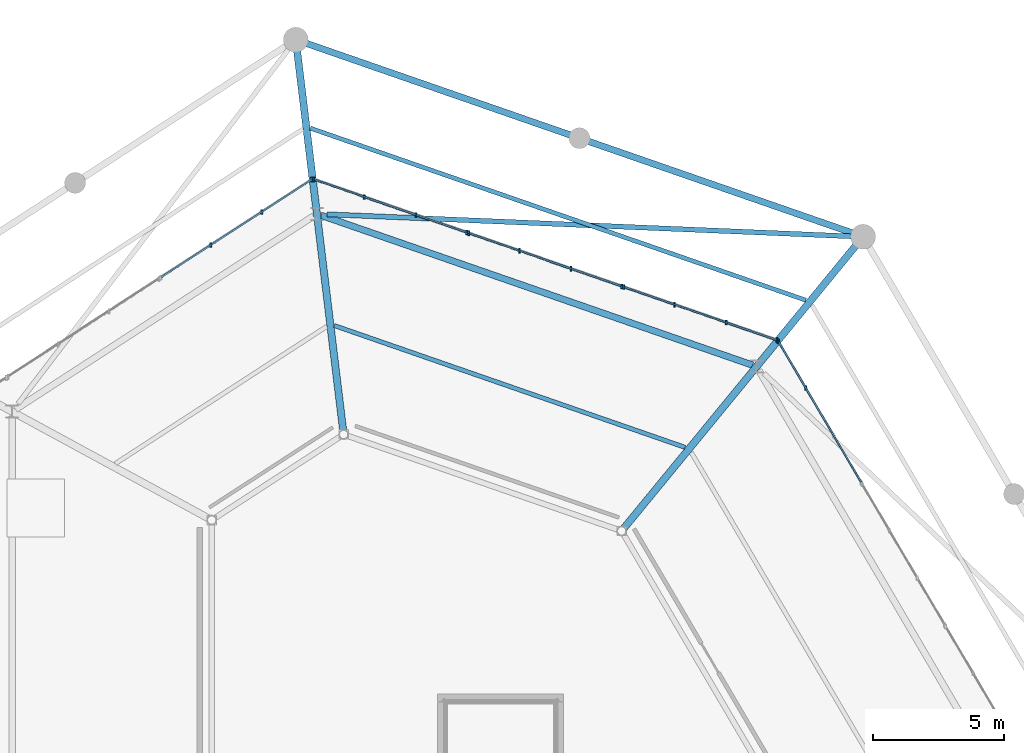
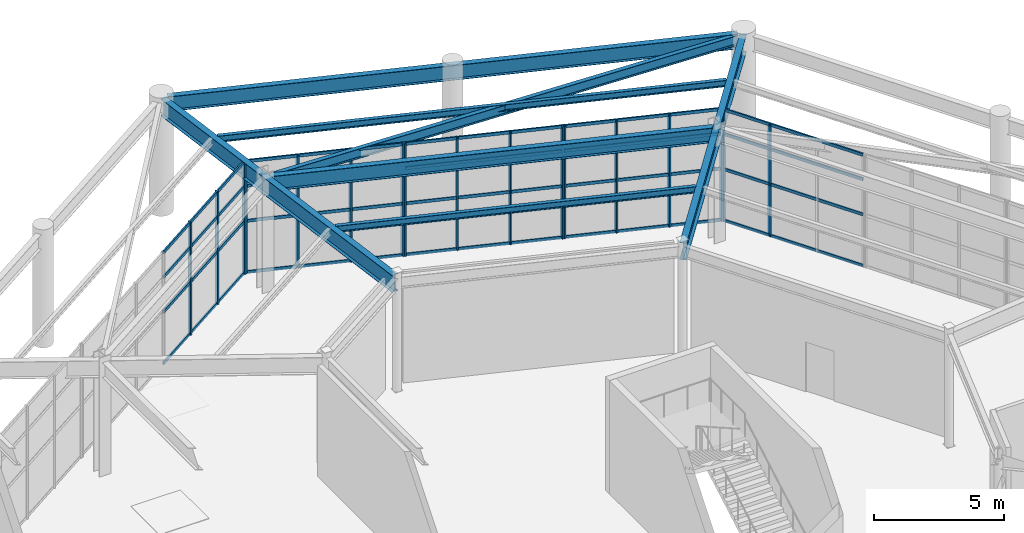
# One storey, part 36 of 70: 37 members, 7 beams, 5 elements without a shape of their own.
"""IFC4 building model written with IfcOpenShell, lengths in metres."""

import ifcopenshell
import ifcopenshell.guid

model = None  # the IFC model being written
_history = None  # IfcOwnerHistory: only IFC2X3 demands one
_inside = {}  # id of a spatial element -> (the spatial element, [elements in it])
_under = {}  # id of a project, library or spatial element -> (it, [spatial elements below it])
_declared = {}  # id of a project -> (the project, [libraries it declares])
_typed = {}  # id of a type object -> (the type object, [elements of that type])
_made_of = {}  # id of a material, layer set ... -> (it, [elements and type objects made of it])


def new_model(schema):
    """Start an empty IFC model of exactly this schema.

    Asked for "IFC4X3", IfcOpenShell would pick the latest addendum, in which some entities
    have other attributes; the version numbers below select the first issue.
    IFC2X3 requires an IfcOwnerHistory on every rooted entity: one is made here for all.
    """
    global model, _history
    if schema == "IFC4X3":
        model = ifcopenshell.file(schema_version=(4, 3, 0, 0))
    else:
        model = ifcopenshell.file(schema=schema)
    _inside.clear()
    _under.clear()
    _declared.clear()
    _typed.clear()
    _made_of.clear()
    _history = None
    if model.schema == "IFC2X3":
        org = make("IfcOrganization", Name="unknown")
        user = make(
            "IfcPersonAndOrganization",
            ThePerson=make("IfcPerson", FamilyName="unknown"),
            TheOrganization=org,
        )
        app = make(
            "IfcApplication",
            ApplicationDeveloper=org,
            Version="unknown",
            ApplicationFullName="unknown",
            ApplicationIdentifier="unknown",
        )
        _history = make(
            "IfcOwnerHistory",
            OwningUser=user,
            OwningApplication=app,
            ChangeAction="ADDED",
            CreationDate=0,
        )
    return model


def make(cls, **values):
    """One entity of the class cls with the attributes given. An attribute that is None is left unset."""
    return model.create_entity(
        cls, **{name: value for name, value in values.items() if value is not None}
    )


def rooted(cls, **values):
    """An entity with a GlobalId (a new one), such as an element, a storey or a relation."""
    return make(cls, GlobalId=ifcopenshell.guid.new(), OwnerHistory=_history, **values)


def si_unit(unit_type, name, prefix=None):
    """IfcSIUnit, for example si_unit("LENGTHUNIT", "METRE", prefix="MILLI")."""
    return make("IfcSIUnit", UnitType=unit_type, Prefix=prefix, Name=name)


def assignment(units):
    """IfcUnitAssignment: the units of a project."""
    return None if units is None else make("IfcUnitAssignment", Units=units)


def point(xyz):
    """IfcCartesianPoint."""
    return None if xyz is None else make("IfcCartesianPoint", Coordinates=xyz)


def direction(xyz):
    """IfcDirection."""
    return None if xyz is None else make("IfcDirection", DirectionRatios=xyz)


def frame(location, z_axis=None, x_axis=None):
    """IfcAxis2Placement3D, a coordinate frame: its origin and axes. An axis left out is left unset."""
    return make(
        "IfcAxis2Placement3D",
        Location=point(location),
        Axis=direction(z_axis),
        RefDirection=direction(x_axis),
    )


def frame_2d(location, x_axis=None):
    """IfcAxis2Placement2D, a coordinate frame in the plane: its origin and x axis."""
    return make(
        "IfcAxis2Placement2D", Location=point(location), RefDirection=direction(x_axis)
    )


def origin():
    """The frame at (0, 0, 0) with its axes left unset."""
    return frame((0.0, 0.0, 0.0))


def origin_2d():
    """The frame at (0, 0) in the plane with its x axis left unset."""
    return frame_2d((0.0, 0.0))


def place(relative_to, where):
    """IfcLocalPlacement: puts the frame where relative to a parent placement (None: the world)."""
    return make(
        "IfcLocalPlacement", PlacementRelTo=relative_to, RelativePlacement=where
    )


def context(
    kind, dimensions, precision=None, world=None, true_north=None, identifier=None
):
    """IfcGeometricRepresentationContext, for example the 3D "Model" context."""
    return make(
        "IfcGeometricRepresentationContext",
        ContextIdentifier=identifier,
        ContextType=kind,
        CoordinateSpaceDimension=dimensions,
        Precision=precision,
        WorldCoordinateSystem=world,
        TrueNorth=true_north,
    )


def subcontext(parent, identifier, kind, view, scale=None):
    """IfcGeometricRepresentationSubContext, for example "Body" below "Model"."""
    return make(
        "IfcGeometricRepresentationSubContext",
        ContextIdentifier=identifier,
        ContextType=kind,
        ParentContext=parent,
        TargetScale=scale,
        TargetView=view,
    )


def project(units=None, contexts=None):
    """IfcProject with its units and contexts."""
    return rooted(
        "IfcProject",
        Name="project",
        RepresentationContexts=contexts,
        UnitsInContext=assignment(units),
    )


def spatial(cls, under=None, at=None, **own):
    """A site, building, storey or space (cls), placed at a placement, below another one or the project."""
    s = rooted(cls, ObjectPlacement=at, **own)
    if under is not None:
        _under.setdefault(under.id(), (under, []))[1].append(s)
    return s


def profile(cls, at=None, kind="AREA", **sizes):
    """A parametric profile (cls). Its sizes go by their IFC names, for example OverallWidth=200.0."""
    return make(cls, ProfileType=kind, Position=at, **sizes)


def rectangle(**sizes):
    """IfcRectangleProfileDef."""
    return profile("IfcRectangleProfileDef", **sizes)


def i_section(**sizes):
    """IfcIShapeProfileDef."""
    return profile("IfcIShapeProfileDef", **sizes)


def extrude(swept, where, along, depth):
    """IfcExtrudedAreaSolid: the profile swept, set in the frame where, extruded along a direction by depth."""
    return make(
        "IfcExtrudedAreaSolid",
        SweptArea=swept,
        Position=where,
        ExtrudedDirection=direction(along),
        Depth=depth,
    )


def shape(context_of_items, identifier, shape_type, items):
    """IfcShapeRepresentation: the items that make up one representation, for example the "Body"."""
    return make(
        "IfcShapeRepresentation",
        ContextOfItems=context_of_items,
        RepresentationIdentifier=identifier,
        RepresentationType=shape_type,
        Items=items,
    )


def material(Name=None, Category=None):
    """IfcMaterial."""
    return make("IfcMaterial", Name=Name, Category=Category)


def material_profile(
    of_material, cross_section, Name=None, Category=None, Priority=None
):
    """IfcMaterialProfile: a cross section and its material."""
    return make(
        "IfcMaterialProfile",
        Name=Name,
        Material=of_material,
        Profile=cross_section,
        Priority=Priority,
        Category=Category,
    )


def profile_set(profiles, Name=None, composite=None):
    """IfcMaterialProfileSet."""
    return make(
        "IfcMaterialProfileSet",
        Name=Name,
        MaterialProfiles=profiles,
        CompositeProfile=composite,
    )


def made_of(thing, what):
    """Note that an element or type object is made of a material, layer set ...; save() writes the relation."""
    if what is not None:
        _made_of.setdefault(what.id(), (what, []))[1].append(thing)
    return thing


def type_object(cls, material=None, **own):
    """A type object (cls), such as IfcWallType, which elements share."""
    return made_of(rooted(cls, **own), material)


def element(
    cls,
    number,
    at=None,
    inside=None,
    cuts=None,
    type_object=None,
    material=None,
    context=None,
    identifier="Body",
    shape_type=None,
    held_by="IfcProductDefinitionShape",
    body=None,
    shapes=None,
    **own,
):
    """One element of the class cls, such as IfcWall. Its Tag is "e" and its number.

    at: its placement. inside: the storey or other place that contains it. cuts: it is an
    opening in that element (IfcRelVoidsElement). A single representation is given by context,
    identifier, shape_type and body (its items); several are given by shapes. held_by: the class
    of the entity that holds the representations. save() writes the other relations.
    """
    e = rooted(cls, Tag="e%d" % number, ObjectPlacement=at, **own)
    if body is not None:
        shapes = [shape(context, identifier, shape_type, body)]
    if shapes is not None:
        e.Representation = make(held_by, Representations=shapes)
    if inside is not None:
        _inside.setdefault(inside.id(), (inside, []))[1].append(e)
    if cuts is not None:
        rooted(
            "IfcRelVoidsElement", RelatingBuildingElement=cuts, RelatedOpeningElement=e
        )
    if type_object is not None:
        _typed.setdefault(type_object.id(), (type_object, []))[1].append(e)
    return made_of(e, material)


def aggregate(whole, parts):
    """IfcRelAggregates: a whole, such as a stair, and the parts it consists of."""
    return rooted("IfcRelAggregates", RelatingObject=whole, RelatedObjects=parts)


def save(model, path):
    """Write the relations noted so far, then the file.

    IfcRelAggregates (storeys below a building ...), IfcRelContainedInSpatialStructure (elements
    in a storey), IfcRelDefinesByType, IfcRelAssociatesMaterial and IfcRelDeclares: one each for
    every whole, place, type object, material and project.
    """
    for whole, parts in _under.values():
        aggregate(whole, parts)
    for where, things in _inside.values():
        rooted(
            "IfcRelContainedInSpatialStructure",
            RelatedElements=things,
            RelatingStructure=where,
        )
    for kind, things in _typed.values():
        rooted("IfcRelDefinesByType", RelatedObjects=things, RelatingType=kind)
    for what, things in _made_of.values():
        rooted("IfcRelAssociatesMaterial", RelatedObjects=things, RelatingMaterial=what)
    for by, libraries in _declared.values():
        rooted("IfcRelDeclares", RelatingContext=by, RelatedDefinitions=libraries)
    model.write(path)


model = new_model("IFC4")

# Units and contexts
model_context = context("Model", 3, precision=1e-05, world=origin(), true_north=direction((0.0, 1.0)))
body_context = subcontext(model_context, "Body", "Model", "MODEL_VIEW")
ifc_project = project(units=[si_unit("LENGTHUNIT", "METRE"), si_unit("AREAUNIT", "SQUARE_METRE"), si_unit("VOLUMEUNIT", "CUBIC_METRE"), si_unit("PLANEANGLEUNIT", "RADIAN"), si_unit("MASSUNIT", "GRAM", prefix="KILO")], contexts=[model_context])

# Site, building, storey
site_placement = place(None, origin())
site = spatial("IfcSite", under=ifc_project, at=site_placement, CompositionType="ELEMENT")
building_placement = place(site_placement, origin())
building = spatial("IfcBuilding", under=site, at=building_placement, Name="Sarnbrook Museum", CompositionType="ELEMENT")
storey_placement = place(building_placement, origin())
storey = spatial("IfcBuildingStorey", under=building, at=storey_placement, Name="L00", CompositionType="ELEMENT", Elevation=0.0)

# Beams
ifc_material_1 = material(Name="Structural Steel Grade 300PLUS (AS/NZS 3679.1, fy = 280 MPa for 17 < t <= 40 mm, 300 MPa for t <= 17 mm)", Category="steel")
ifc_material_profile_1 = material_profile(ifc_material_1, i_section(OverallWidth=0.18994140625, OverallDepth=0.45703125, WebThickness=0.009033203125, FlangeThickness=0.014404296875, FilletRadius=0.011474609375, at=origin_2d()), Name="460UB74.6")
ifc_profile_set_1 = profile_set([ifc_material_profile_1], Name="Structural Steel Grade 300PLUS (AS/NZS 3679.1, fy = 280 MPa for 17 < t <= 40 mm, 300 MPa for t <= 17 mm)")
beam_type_1 = type_object("IfcBeamType", Name="BM-UB460", PredefinedType="BEAM", material=ifc_profile_set_1)
beam_1_placement = place(storey_placement, frame((157.316650390625, 107.607421875, 5.10009765625), z_axis=(-0.999118418311, 0.041980783598, 0.0), x_axis=(-0.041980783598, -0.999118418311, 0.0)))
element("IfcBeam", 1, at=beam_1_placement, inside=storey, type_object=beam_type_1, Name="Colonnade Ceiling Diagonal Tie Girder 5 L00", PredefinedType="BEAM", context=body_context, shape_type="SweptSolid", body=[
    extrude(i_section(OverallWidth=0.18994140625, OverallDepth=0.45703125, WebThickness=0.009033203125, FlangeThickness=0.014404296875, FilletRadius=0.011474609375, at=origin_2d()), origin(), (0.0, 0.0, 1.0), 20.15087890625),
])
ifc_material_2 = material(Name="Structural Steel Grade 350L0 (AS/NZS 3678, fy = 340 MPa for 20 < t <= 40 mm)", Category="steel")
ifc_material_profile_2 = material_profile(ifc_material_2, i_section(OverallWidth=0.25, OverallDepth=0.699951171875, WebThickness=0.010009765625, FlangeThickness=0.01611328125, at=origin_2d()), Name="700WB130")
ifc_profile_set_2 = profile_set([ifc_material_profile_2], Name="Structural Steel Grade 350L0 (AS/NZS 3678, fy = 340 MPa for 20 < t <= 40 mm)")
beam_type_2 = type_object("IfcBeamType", Name="BM-WB700", PredefinedType="BEAM", material=ifc_profile_set_2)
beam_2_placement = place(storey_placement, frame((157.36376953125, 107.681884765625, 4.989990234375), z_axis=(-0.9446711743, 0.328018859896, 0.0), x_axis=(-0.328018859896, -0.9446711743, 0.0)))
element("IfcBeam", 2, at=beam_2_placement, inside=storey, type_object=beam_type_2, Name="Crystal Hall Perimeter Ring Girder 5 L00", PredefinedType="BEAM", context=body_context, shape_type="SweptSolid", body=[
    extrude(i_section(OverallWidth=0.25, OverallDepth=0.699951171875, WebThickness=0.010009765625, FlangeThickness=0.01611328125, at=origin_2d()), origin(), (0.0, 0.0, 1.0), 22.365234375),
])
beam_3_placement = place(storey_placement, frame((153.392578125, 102.70947265625, 4.989990234375), z_axis=(-0.944672698081, 0.328014471479, 0.0), x_axis=(-0.328014471479, -0.944672698081, 0.0)))
element("IfcBeam", 3, at=beam_3_placement, inside=storey, type_object=beam_type_2, Name="Crystal Hall R1 Ring Girder 5 L00", PredefinedType="BEAM", context=body_context, shape_type="SweptSolid", body=[
    extrude(i_section(OverallWidth=0.25, OverallDepth=0.699951171875, WebThickness=0.010009765625, FlangeThickness=0.01611328125, at=origin_2d()), origin(), (0.0, 0.0, 1.0), 17.400146484375),
])
ifc_material_profile_3 = material_profile(ifc_material_2, i_section(OverallWidth=0.27490234375, OverallDepth=0.800048828125, WebThickness=0.010009765625, FlangeThickness=0.01611328125, at=origin_2d()), Name="800WB146")
ifc_profile_set_3 = profile_set([ifc_material_profile_3], Name="Structural Steel Grade 350L0 (AS/NZS 3678, fy = 340 MPa for 20 < t <= 40 mm)")
beam_type_3 = type_object("IfcBeamType", Name="CR-CANT", PredefinedType="BEAM", material=ifc_profile_set_3)
beam_4_placement = place(storey_placement, frame((148.481689453125, 96.48876953125, 4.93994140625), z_axis=(0.63438210421, 0.773019628378, 0.0), x_axis=(-0.773019628378, 0.63438210421, 0.0)))
element("IfcBeam", 4, at=beam_4_placement, inside=storey, type_object=beam_type_3, Name="Crystal Hall Radial Cantilever Girder 5 L00", PredefinedType="BEAM", context=body_context, shape_type="SweptSolid", body=[
    extrude(i_section(OverallWidth=0.27490234375, OverallDepth=0.800048828125, WebThickness=0.010009765625, FlangeThickness=0.01611328125, at=origin_2d()), origin(), (0.0, 0.0, 1.0), 14.2236328125),
])
beam_5_placement = place(storey_placement, frame((137.80810546875, 100.189697265625, 4.93994140625), z_axis=(-0.120382362103, 0.992727599543, 0.0), x_axis=(-0.992727599543, -0.120382362103, 0.0)))
element("IfcBeam", 5, at=beam_5_placement, inside=storey, type_object=beam_type_3, Name="Crystal Hall Radial Cantilever Girder 6 L00", PredefinedType="BEAM", context=body_context, shape_type="SweptSolid", body=[
    extrude(i_section(OverallWidth=0.27490234375, OverallDepth=0.800048828125, WebThickness=0.010009765625, FlangeThickness=0.01611328125, at=origin_2d()), origin(), (0.0, 0.0, 1.0), 14.86962890625),
])

# Curtain wall, members
ifc_material_3 = material(Name="Thermally Broken Anodised Aluminium 6063-T6", Category="aluminium")
curtain_wall_type = type_object("IfcCurtainWallType", Name="CurtainWall_Colonnade", PredefinedType="NOTDEFINED", material=ifc_material_3)
curtain_wall_1_placement = place(storey_placement, origin())
curtain_wall_1 = element("IfcCurtainWall", 6, at=curtain_wall_1_placement, inside=storey, type_object=curtain_wall_type, Name="Colonnade Recessed Glazing L00-F4.3", PredefinedType="NOTDEFINED")
ifc_material_profile_4 = material_profile(ifc_material_3, rectangle(XDim=0.06494140625, YDim=0.179931640625, at=origin_2d()), Name="ALU MULLION 65x180")
ifc_profile_set_4 = profile_set([ifc_material_profile_4], Name="Thermally Broken Anodised Aluminium 6063-T6")
member_type_1 = type_object("IfcMemberType", Name="CW_Mullion_180x75", PredefinedType="MULLION", material=ifc_profile_set_4)
member_1_placement = place(storey_placement, frame((155.416015625, 101.8369140625, 0.0), z_axis=(0.0, 0.0, 1.0), x_axis=(1.0, 0.0, 0.0)))
member_1 = element("IfcMember", 7, at=member_1_placement, type_object=member_type_1, Name="Colonnade Recessed Glazing L00-F4.3 Mullion 3", PredefinedType="MULLION", context=body_context, shape_type="SweptSolid", body=[
    extrude(rectangle(XDim=0.06494140625, YDim=0.179931640625, at=origin_2d()), origin(), (0.0, 0.0, 1.0), 5.2900390625),
])
member_2_placement = place(storey_placement, frame((154.375, 103.611083984375, 0.0), z_axis=(0.0, 0.0, 1.0), x_axis=(1.0, 0.0, 0.0)))
member_2 = element("IfcMember", 8, at=member_2_placement, type_object=member_type_1, Name="Colonnade Recessed Glazing L00-F4.3 Mullion 4", PredefinedType="MULLION", context=body_context, shape_type="SweptSolid", body=[
    extrude(rectangle(XDim=0.06494140625, YDim=0.179931640625, at=origin_2d()), origin(), (0.0, 0.0, 1.0), 5.2900390625),
])

curtain_wall_2_placement = place(storey_placement, origin())
curtain_wall_2 = element("IfcCurtainWall", 9, at=curtain_wall_2_placement, inside=storey, type_object=curtain_wall_type, Name="Colonnade Recessed Glazing L00-F5.1", PredefinedType="NOTDEFINED")
member_3_placement = place(storey_placement, frame((154.317138671875, 103.65869140625, 0.0), z_axis=(0.0, 0.0, 1.0), x_axis=(1.0, 0.0, 0.0)))
member_3 = element("IfcMember", 10, at=member_3_placement, type_object=member_type_1, Name="Colonnade Recessed Glazing L00-F5.1 Mullion 1", PredefinedType="MULLION", context=body_context, shape_type="SweptSolid", body=[
    extrude(rectangle(XDim=0.06494140625, YDim=0.179931640625, at=origin_2d()), origin(), (0.0, 0.0, 1.0), 5.2900390625),
])
member_4_placement = place(storey_placement, frame((152.386962890625, 104.328857421875, 0.0), z_axis=(0.0, 0.0, 1.0), x_axis=(1.0, 0.0, 0.0)))
member_4 = element("IfcMember", 11, at=member_4_placement, type_object=member_type_1, Name="Colonnade Recessed Glazing L00-F5.1 Mullion 2", PredefinedType="MULLION", context=body_context, shape_type="SweptSolid", body=[
    extrude(rectangle(XDim=0.06494140625, YDim=0.179931640625, at=origin_2d()), origin(), (0.0, 0.0, 1.0), 5.2900390625),
])
member_5_placement = place(storey_placement, frame((150.4189453125, 105.01220703125, 0.0), z_axis=(0.0, 0.0, 1.0), x_axis=(1.0, 0.0, 0.0)))
member_5 = element("IfcMember", 12, at=member_5_placement, type_object=member_type_1, Name="Colonnade Recessed Glazing L00-F5.1 Mullion 3", PredefinedType="MULLION", context=body_context, shape_type="SweptSolid", body=[
    extrude(rectangle(XDim=0.06494140625, YDim=0.179931640625, at=origin_2d()), origin(), (0.0, 0.0, 1.0), 5.2900390625),
])
member_6_placement = place(storey_placement, frame((148.48876953125, 105.682373046875, 0.0), z_axis=(0.0, 0.0, 1.0), x_axis=(1.0, 0.0, 0.0)))
member_6 = element("IfcMember", 13, at=member_6_placement, type_object=member_type_1, Name="Colonnade Recessed Glazing L00-F5.1 Mullion 4", PredefinedType="MULLION", context=body_context, shape_type="SweptSolid", body=[
    extrude(rectangle(XDim=0.06494140625, YDim=0.179931640625, at=origin_2d()), origin(), (0.0, 0.0, 1.0), 5.2900390625),
])

curtain_wall_3_placement = place(storey_placement, origin())
curtain_wall_3 = element("IfcCurtainWall", 14, at=curtain_wall_3_placement, inside=storey, type_object=curtain_wall_type, Name="Colonnade Recessed Glazing L00-F5.2", PredefinedType="NOTDEFINED")
member_7_placement = place(storey_placement, frame((148.4130859375, 105.708740234375, 0.0), z_axis=(0.0, 0.0, 1.0), x_axis=(1.0, 0.0, 0.0)))
member_7 = element("IfcMember", 15, at=member_7_placement, type_object=member_type_1, Name="Colonnade Recessed Glazing L00-F5.2 Mullion 1", PredefinedType="MULLION", context=body_context, shape_type="SweptSolid", body=[
    extrude(rectangle(XDim=0.06494140625, YDim=0.179931640625, at=origin_2d()), origin(), (0.0, 0.0, 1.0), 5.2900390625),
])
member_8_placement = place(storey_placement, frame((146.48291015625, 106.37890625, 0.0), z_axis=(0.0, 0.0, 1.0), x_axis=(1.0, 0.0, 0.0)))
member_8 = element("IfcMember", 16, at=member_8_placement, type_object=member_type_1, Name="Colonnade Recessed Glazing L00-F5.2 Mullion 2", PredefinedType="MULLION", context=body_context, shape_type="SweptSolid", body=[
    extrude(rectangle(XDim=0.06494140625, YDim=0.179931640625, at=origin_2d()), origin(), (0.0, 0.0, 1.0), 5.2900390625),
])
member_9_placement = place(storey_placement, frame((144.51513671875, 107.062255859375, 0.0), z_axis=(0.0, 0.0, 1.0), x_axis=(1.0, 0.0, 0.0)))
member_9 = element("IfcMember", 17, at=member_9_placement, type_object=member_type_1, Name="Colonnade Recessed Glazing L00-F5.2 Mullion 3", PredefinedType="MULLION", context=body_context, shape_type="SweptSolid", body=[
    extrude(rectangle(XDim=0.06494140625, YDim=0.179931640625, at=origin_2d()), origin(), (0.0, 0.0, 1.0), 5.2900390625),
])
member_10_placement = place(storey_placement, frame((142.5849609375, 107.732421875, 0.0), z_axis=(0.0, 0.0, 1.0), x_axis=(1.0, 0.0, 0.0)))
member_10 = element("IfcMember", 18, at=member_10_placement, type_object=member_type_1, Name="Colonnade Recessed Glazing L00-F5.2 Mullion 4", PredefinedType="MULLION", context=body_context, shape_type="SweptSolid", body=[
    extrude(rectangle(XDim=0.06494140625, YDim=0.179931640625, at=origin_2d()), origin(), (0.0, 0.0, 1.0), 5.2900390625),
])

curtain_wall_4_placement = place(storey_placement, origin())
curtain_wall_4 = element("IfcCurtainWall", 19, at=curtain_wall_4_placement, inside=storey, type_object=curtain_wall_type, Name="Colonnade Recessed Glazing L00-F5.3", PredefinedType="NOTDEFINED")
member_11_placement = place(storey_placement, frame((142.50927734375, 107.7587890625, 0.0), z_axis=(0.0, 0.0, 1.0), x_axis=(1.0, 0.0, 0.0)))
member_11 = element("IfcMember", 20, at=member_11_placement, type_object=member_type_1, Name="Colonnade Recessed Glazing L00-F5.3 Mullion 1", PredefinedType="MULLION", context=body_context, shape_type="SweptSolid", body=[
    extrude(rectangle(XDim=0.06494140625, YDim=0.179931640625, at=origin_2d()), origin(), (0.0, 0.0, 1.0), 5.2900390625),
])
member_12_placement = place(storey_placement, frame((140.5791015625, 108.428955078125, 0.0), z_axis=(0.0, 0.0, 1.0), x_axis=(1.0, 0.0, 0.0)))
member_12 = element("IfcMember", 21, at=member_12_placement, type_object=member_type_1, Name="Colonnade Recessed Glazing L00-F5.3 Mullion 2", PredefinedType="MULLION", context=body_context, shape_type="SweptSolid", body=[
    extrude(rectangle(XDim=0.06494140625, YDim=0.179931640625, at=origin_2d()), origin(), (0.0, 0.0, 1.0), 5.2900390625),
])
member_13_placement = place(storey_placement, frame((138.611083984375, 109.1123046875, 0.0), z_axis=(0.0, 0.0, 1.0), x_axis=(1.0, 0.0, 0.0)))
member_13 = element("IfcMember", 22, at=member_13_placement, type_object=member_type_1, Name="Colonnade Recessed Glazing L00-F5.3 Mullion 3", PredefinedType="MULLION", context=body_context, shape_type="SweptSolid", body=[
    extrude(rectangle(XDim=0.06494140625, YDim=0.179931640625, at=origin_2d()), origin(), (0.0, 0.0, 1.0), 5.2900390625),
])
member_14_placement = place(storey_placement, frame((136.680908203125, 109.782470703125, 0.0), z_axis=(0.0, 0.0, 1.0), x_axis=(1.0, 0.0, 0.0)))
member_14 = element("IfcMember", 23, at=member_14_placement, type_object=member_type_1, Name="Colonnade Recessed Glazing L00-F5.3 Mullion 4", PredefinedType="MULLION", context=body_context, shape_type="SweptSolid", body=[
    extrude(rectangle(XDim=0.06494140625, YDim=0.179931640625, at=origin_2d()), origin(), (0.0, 0.0, 1.0), 5.2900390625),
])

curtain_wall_5_placement = place(storey_placement, origin())
curtain_wall_5 = element("IfcCurtainWall", 24, at=curtain_wall_5_placement, inside=storey, type_object=curtain_wall_type, Name="Colonnade Recessed Glazing L00-F6.1", PredefinedType="NOTDEFINED")
member_15_placement = place(storey_placement, frame((136.609619140625, 109.773681640625, 0.0), z_axis=(0.0, 0.0, 1.0), x_axis=(1.0, 0.0, 0.0)))
member_15 = element("IfcMember", 25, at=member_15_placement, type_object=member_type_1, Name="Colonnade Recessed Glazing L00-F6.1 Mullion 1", PredefinedType="MULLION", context=body_context, shape_type="SweptSolid", body=[
    extrude(rectangle(XDim=0.06494140625, YDim=0.179931640625, at=origin_2d()), origin(), (0.0, 0.0, 1.0), 5.2900390625),
])
member_16_placement = place(storey_placement, frame((134.705078125, 108.5380859375, 0.0), z_axis=(0.0, 0.0, 1.0), x_axis=(1.0, 0.0, 0.0)))
member_16 = element("IfcMember", 26, at=member_16_placement, type_object=member_type_1, Name="Colonnade Recessed Glazing L00-F6.1 Mullion 2", PredefinedType="MULLION", context=body_context, shape_type="SweptSolid", body=[
    extrude(rectangle(XDim=0.06494140625, YDim=0.179931640625, at=origin_2d()), origin(), (0.0, 0.0, 1.0), 5.2900390625),
])
member_17_placement = place(storey_placement, frame((132.766845703125, 107.280517578125, 0.0), z_axis=(0.0, 0.0, 1.0), x_axis=(1.0, 0.0, 0.0)))
member_17 = element("IfcMember", 27, at=member_17_placement, type_object=member_type_1, Name="Colonnade Recessed Glazing L00-F6.1 Mullion 3", PredefinedType="MULLION", context=body_context, shape_type="SweptSolid", body=[
    extrude(rectangle(XDim=0.06494140625, YDim=0.179931640625, at=origin_2d()), origin(), (0.0, 0.0, 1.0), 5.2900390625),
])

# Member
ifc_material_profile_5 = material_profile(ifc_material_3, rectangle(XDim=0.06494140625, YDim=0.139892578125, at=origin_2d()), Name="ALU TRANSOM 65x140")
ifc_profile_set_5 = profile_set([ifc_material_profile_5], Name="Thermally Broken Anodised Aluminium 6063-T6")
member_type_2 = type_object("IfcMemberType", Name="CW_Transom_150x65", PredefinedType="USERDEFINED", material=ifc_profile_set_5)
member_18_placement = place(storey_placement, frame((157.51318359375, 98.262939453125, 0.0400390625), z_axis=(-0.506073677144, 0.862490251135, 0.0), x_axis=(-0.862490251135, -0.506073677144, 0.0)))
member_18 = element("IfcMember", 28, at=member_18_placement, type_object=member_type_2, Name="Colonnade Recessed Glazing L00-F4.3 Transom 1", ObjectType="TRANSOM", PredefinedType="USERDEFINED", context=body_context, shape_type="SweptSolid", body=[
    extrude(rectangle(XDim=0.06494140625, YDim=0.139892578125, at=origin_2d()), origin(), (0.0, 0.0, 1.0), 6.19091796875),
])

member_19_placement = place(storey_placement, frame((157.51318359375, 98.262939453125, 2.449951171875), z_axis=(-0.506073677144, 0.862490251135, 0.0), x_axis=(-0.862490251135, -0.506073677144, 0.0)))
member_19 = element("IfcMember", 29, at=member_19_placement, type_object=member_type_2, Name="Colonnade Recessed Glazing L00-F4.3 Transom 2", ObjectType="TRANSOM", PredefinedType="USERDEFINED", context=body_context, shape_type="SweptSolid", body=[
    extrude(rectangle(XDim=0.06494140625, YDim=0.139892578125, at=origin_2d()), origin(), (0.0, 0.0, 1.0), 6.19091796875),
])

member_20_placement = place(storey_placement, frame((157.51318359375, 98.262939453125, 4.10009765625), z_axis=(-0.506073677144, 0.862490251135, 0.0), x_axis=(-0.862490251135, -0.506073677144, 0.0)))
member_20 = element("IfcMember", 30, at=member_20_placement, type_object=member_type_2, Name="Colonnade Recessed Glazing L00-F4.3 Transom 3", ObjectType="TRANSOM", PredefinedType="USERDEFINED", context=body_context, shape_type="SweptSolid", body=[
    extrude(rectangle(XDim=0.06494140625, YDim=0.139892578125, at=origin_2d()), origin(), (0.0, 0.0, 1.0), 6.19091796875),
])

member_21_placement = place(storey_placement, frame((157.51318359375, 98.262939453125, 5.25), z_axis=(-0.506073677144, 0.862490251135, 0.0), x_axis=(-0.862490251135, -0.506073677144, 0.0)))
member_21 = element("IfcMember", 31, at=member_21_placement, type_object=member_type_2, Name="Colonnade Recessed Glazing L00-F4.3 Transom 4", ObjectType="TRANSOM", PredefinedType="USERDEFINED", context=body_context, shape_type="SweptSolid", body=[
    extrude(rectangle(XDim=0.06494140625, YDim=0.139892578125, at=origin_2d()), origin(), (0.0, 0.0, 1.0), 6.19091796875),
])

aggregate(curtain_wall_1, [member_1, member_2, member_18, member_19, member_20, member_21])

member_22_placement = place(storey_placement, frame((154.3076171875, 103.662109375, 0.0400390625), z_axis=(-0.944675543658, 0.32800627618, 0.0), x_axis=(-0.32800627618, -0.944675543658, 0.0)))
member_22 = element("IfcMember", 32, at=member_22_placement, type_object=member_type_2, Name="Colonnade Recessed Glazing L00-F5.1 Transom 1", ObjectType="TRANSOM", PredefinedType="USERDEFINED", context=body_context, shape_type="SweptSolid", body=[
    extrude(rectangle(XDim=0.06494140625, YDim=0.139892578125, at=origin_2d()), origin(), (0.0, 0.0, 1.0), 6.149658203125),
])

member_23_placement = place(storey_placement, frame((154.3076171875, 103.662109375, 2.449951171875), z_axis=(-0.944675543658, 0.32800627618, 0.0), x_axis=(-0.32800627618, -0.944675543658, 0.0)))
member_23 = element("IfcMember", 33, at=member_23_placement, type_object=member_type_2, Name="Colonnade Recessed Glazing L00-F5.1 Transom 2", ObjectType="TRANSOM", PredefinedType="USERDEFINED", context=body_context, shape_type="SweptSolid", body=[
    extrude(rectangle(XDim=0.06494140625, YDim=0.139892578125, at=origin_2d()), origin(), (0.0, 0.0, 1.0), 6.149658203125),
])

member_24_placement = place(storey_placement, frame((154.3076171875, 103.662109375, 4.10009765625), z_axis=(-0.944675543658, 0.32800627618, 0.0), x_axis=(-0.32800627618, -0.944675543658, 0.0)))
member_24 = element("IfcMember", 34, at=member_24_placement, type_object=member_type_2, Name="Colonnade Recessed Glazing L00-F5.1 Transom 3", ObjectType="TRANSOM", PredefinedType="USERDEFINED", context=body_context, shape_type="SweptSolid", body=[
    extrude(rectangle(XDim=0.06494140625, YDim=0.139892578125, at=origin_2d()), origin(), (0.0, 0.0, 1.0), 6.149658203125),
])

member_25_placement = place(storey_placement, frame((154.3076171875, 103.662109375, 5.25), z_axis=(-0.944675543658, 0.32800627618, 0.0), x_axis=(-0.32800627618, -0.944675543658, 0.0)))
member_25 = element("IfcMember", 35, at=member_25_placement, type_object=member_type_2, Name="Colonnade Recessed Glazing L00-F5.1 Transom 4", ObjectType="TRANSOM", PredefinedType="USERDEFINED", context=body_context, shape_type="SweptSolid", body=[
    extrude(rectangle(XDim=0.06494140625, YDim=0.139892578125, at=origin_2d()), origin(), (0.0, 0.0, 1.0), 6.149658203125),
])

aggregate(curtain_wall_2, [member_3, member_4, member_5, member_6, member_22, member_23, member_24, member_25])

member_26_placement = place(storey_placement, frame((148.40380859375, 105.7119140625, 0.0400390625), z_axis=(-0.94467981473, 0.327993975008, 0.0), x_axis=(-0.327993975008, -0.94467981473, 0.0)))
member_26 = element("IfcMember", 36, at=member_26_placement, type_object=member_type_2, Name="Colonnade Recessed Glazing L00-F5.2 Transom 1", ObjectType="TRANSOM", PredefinedType="USERDEFINED", context=body_context, shape_type="SweptSolid", body=[
    extrude(rectangle(XDim=0.06494140625, YDim=0.139892578125, at=origin_2d()), origin(), (0.0, 0.0, 1.0), 6.149658203125),
])

member_27_placement = place(storey_placement, frame((148.40380859375, 105.7119140625, 2.449951171875), z_axis=(-0.94467981473, 0.327993975008, 0.0), x_axis=(-0.327993975008, -0.94467981473, 0.0)))
member_27 = element("IfcMember", 37, at=member_27_placement, type_object=member_type_2, Name="Colonnade Recessed Glazing L00-F5.2 Transom 2", ObjectType="TRANSOM", PredefinedType="USERDEFINED", context=body_context, shape_type="SweptSolid", body=[
    extrude(rectangle(XDim=0.06494140625, YDim=0.139892578125, at=origin_2d()), origin(), (0.0, 0.0, 1.0), 6.149658203125),
])

member_28_placement = place(storey_placement, frame((148.40380859375, 105.7119140625, 4.10009765625), z_axis=(-0.94467981473, 0.327993975008, 0.0), x_axis=(-0.327993975008, -0.94467981473, 0.0)))
member_28 = element("IfcMember", 38, at=member_28_placement, type_object=member_type_2, Name="Colonnade Recessed Glazing L00-F5.2 Transom 3", ObjectType="TRANSOM", PredefinedType="USERDEFINED", context=body_context, shape_type="SweptSolid", body=[
    extrude(rectangle(XDim=0.06494140625, YDim=0.139892578125, at=origin_2d()), origin(), (0.0, 0.0, 1.0), 6.149658203125),
])

member_29_placement = place(storey_placement, frame((148.40380859375, 105.7119140625, 5.25), z_axis=(-0.94467981473, 0.327993975008, 0.0), x_axis=(-0.327993975008, -0.94467981473, 0.0)))
member_29 = element("IfcMember", 39, at=member_29_placement, type_object=member_type_2, Name="Colonnade Recessed Glazing L00-F5.2 Transom 4", ObjectType="TRANSOM", PredefinedType="USERDEFINED", context=body_context, shape_type="SweptSolid", body=[
    extrude(rectangle(XDim=0.06494140625, YDim=0.139892578125, at=origin_2d()), origin(), (0.0, 0.0, 1.0), 6.149658203125),
])

aggregate(curtain_wall_3, [member_7, member_8, member_9, member_10, member_26, member_27, member_28, member_29])

member_30_placement = place(storey_placement, frame((142.5, 107.761962890625, 0.0400390625), z_axis=(-0.94467981473, 0.327993975008, 0.0), x_axis=(-0.327993975008, -0.94467981473, 0.0)))
member_30 = element("IfcMember", 40, at=member_30_placement, type_object=member_type_2, Name="Colonnade Recessed Glazing L00-F5.3 Transom 1", ObjectType="TRANSOM", PredefinedType="USERDEFINED", context=body_context, shape_type="SweptSolid", body=[
    extrude(rectangle(XDim=0.06494140625, YDim=0.139892578125, at=origin_2d()), origin(), (0.0, 0.0, 1.0), 6.149658203125),
])

member_31_placement = place(storey_placement, frame((142.5, 107.761962890625, 2.449951171875), z_axis=(-0.94467981473, 0.327993975008, 0.0), x_axis=(-0.327993975008, -0.94467981473, 0.0)))
member_31 = element("IfcMember", 41, at=member_31_placement, type_object=member_type_2, Name="Colonnade Recessed Glazing L00-F5.3 Transom 2", ObjectType="TRANSOM", PredefinedType="USERDEFINED", context=body_context, shape_type="SweptSolid", body=[
    extrude(rectangle(XDim=0.06494140625, YDim=0.139892578125, at=origin_2d()), origin(), (0.0, 0.0, 1.0), 6.149658203125),
])

member_32_placement = place(storey_placement, frame((142.5, 107.761962890625, 4.10009765625), z_axis=(-0.94467981473, 0.327993975008, 0.0), x_axis=(-0.327993975008, -0.94467981473, 0.0)))
member_32 = element("IfcMember", 42, at=member_32_placement, type_object=member_type_2, Name="Colonnade Recessed Glazing L00-F5.3 Transom 3", ObjectType="TRANSOM", PredefinedType="USERDEFINED", context=body_context, shape_type="SweptSolid", body=[
    extrude(rectangle(XDim=0.06494140625, YDim=0.139892578125, at=origin_2d()), origin(), (0.0, 0.0, 1.0), 6.149658203125),
])

member_33_placement = place(storey_placement, frame((142.5, 107.761962890625, 5.25), z_axis=(-0.94467981473, 0.327993975008, 0.0), x_axis=(-0.327993975008, -0.94467981473, 0.0)))
member_33 = element("IfcMember", 43, at=member_33_placement, type_object=member_type_2, Name="Colonnade Recessed Glazing L00-F5.3 Transom 4", ObjectType="TRANSOM", PredefinedType="USERDEFINED", context=body_context, shape_type="SweptSolid", body=[
    extrude(rectangle(XDim=0.06494140625, YDim=0.139892578125, at=origin_2d()), origin(), (0.0, 0.0, 1.0), 6.149658203125),
])

aggregate(curtain_wall_4, [member_11, member_12, member_13, member_14, member_30, member_31, member_32, member_33])

member_34_placement = place(storey_placement, frame((136.601318359375, 109.768310546875, 0.0400390625), z_axis=(-0.838907922149, -0.54427336712, 0.0), x_axis=(0.54427336712, -0.838907922149, 0.0)))
member_34 = element("IfcMember", 44, at=member_34_placement, type_object=member_type_2, Name="Colonnade Recessed Glazing L00-F6.1 Transom 1", ObjectType="TRANSOM", PredefinedType="USERDEFINED", context=body_context, shape_type="SweptSolid", body=[
    extrude(rectangle(XDim=0.06494140625, YDim=0.139892578125, at=origin_2d()), origin(), (0.0, 0.0, 1.0), 6.8310546875),
])

member_35_placement = place(storey_placement, frame((136.601318359375, 109.768310546875, 2.449951171875), z_axis=(-0.838907922149, -0.54427336712, 0.0), x_axis=(0.54427336712, -0.838907922149, 0.0)))
member_35 = element("IfcMember", 45, at=member_35_placement, type_object=member_type_2, Name="Colonnade Recessed Glazing L00-F6.1 Transom 2", ObjectType="TRANSOM", PredefinedType="USERDEFINED", context=body_context, shape_type="SweptSolid", body=[
    extrude(rectangle(XDim=0.06494140625, YDim=0.139892578125, at=origin_2d()), origin(), (0.0, 0.0, 1.0), 6.8310546875),
])

member_36_placement = place(storey_placement, frame((136.601318359375, 109.768310546875, 4.10009765625), z_axis=(-0.838907922149, -0.54427336712, 0.0), x_axis=(0.54427336712, -0.838907922149, 0.0)))
member_36 = element("IfcMember", 46, at=member_36_placement, type_object=member_type_2, Name="Colonnade Recessed Glazing L00-F6.1 Transom 3", ObjectType="TRANSOM", PredefinedType="USERDEFINED", context=body_context, shape_type="SweptSolid", body=[
    extrude(rectangle(XDim=0.06494140625, YDim=0.139892578125, at=origin_2d()), origin(), (0.0, 0.0, 1.0), 6.8310546875),
])

member_37_placement = place(storey_placement, frame((136.601318359375, 109.768310546875, 5.25), z_axis=(-0.838907922149, -0.54427336712, 0.0), x_axis=(0.54427336712, -0.838907922149, 0.0)))
member_37 = element("IfcMember", 47, at=member_37_placement, type_object=member_type_2, Name="Colonnade Recessed Glazing L00-F6.1 Transom 4", ObjectType="TRANSOM", PredefinedType="USERDEFINED", context=body_context, shape_type="SweptSolid", body=[
    extrude(rectangle(XDim=0.06494140625, YDim=0.139892578125, at=origin_2d()), origin(), (0.0, 0.0, 1.0), 6.8310546875),
])

aggregate(curtain_wall_5, [member_15, member_16, member_17, member_34, member_35, member_36, member_37])

# Beams
ifc_material_profile_6 = material_profile(ifc_material_1, i_section(OverallWidth=0.1650390625, OverallDepth=0.303955078125, WebThickness=0.006103515625, FlangeThickness=0.01025390625, FilletRadius=0.011474609375, at=origin_2d()), Name="310UB40.4")
ifc_profile_set_6 = profile_set([ifc_material_profile_6], Name="Structural Steel Grade 300PLUS (AS/NZS 3679.1, fy = 280 MPa for 17 < t <= 40 mm, 300 MPa for t <= 17 mm)")
beam_type_4 = type_object("IfcBeamType", Name="JS-UB310", PredefinedType="JOIST", material=ifc_profile_set_6)
beam_6_placement = place(storey_placement, frame((155.420654296875, 105.180908203125, 5.18798828125), z_axis=(-0.944673769448, 0.328011385955, 0.0), x_axis=(-0.328011385955, -0.944673769448, 0.0)))
element("IfcBeam", 48, at=beam_6_placement, inside=storey, type_object=beam_type_4, Name="Crystal Hall Tangential Joist MO-5 L00", PredefinedType="JOIST", context=body_context, shape_type="SweptSolid", body=[
    extrude(i_section(OverallWidth=0.1650390625, OverallDepth=0.303955078125, WebThickness=0.006103515625, FlangeThickness=0.01025390625, FilletRadius=0.011474609375, at=origin_2d()), origin(), (0.0, 0.0, 1.0), 19.97265625),
])
beam_7_placement = place(storey_placement, frame((150.823486328125, 99.5791015625, 5.18798828125), z_axis=(-0.944677156242, 0.328001631818, 0.0), x_axis=(-0.328001631818, -0.944677156242, 0.0)))
element("IfcBeam", 49, at=beam_7_placement, inside=storey, type_object=beam_type_4, Name="Crystal Hall Tangential Joist MI-5 L00", PredefinedType="JOIST", context=body_context, shape_type="SweptSolid", body=[
    extrude(i_section(OverallWidth=0.1650390625, OverallDepth=0.303955078125, WebThickness=0.006103515625, FlangeThickness=0.01025390625, FilletRadius=0.011474609375, at=origin_2d()), origin(), (0.0, 0.0, 1.0), 14.141357421875),
])

save(model, "model.ifc")
